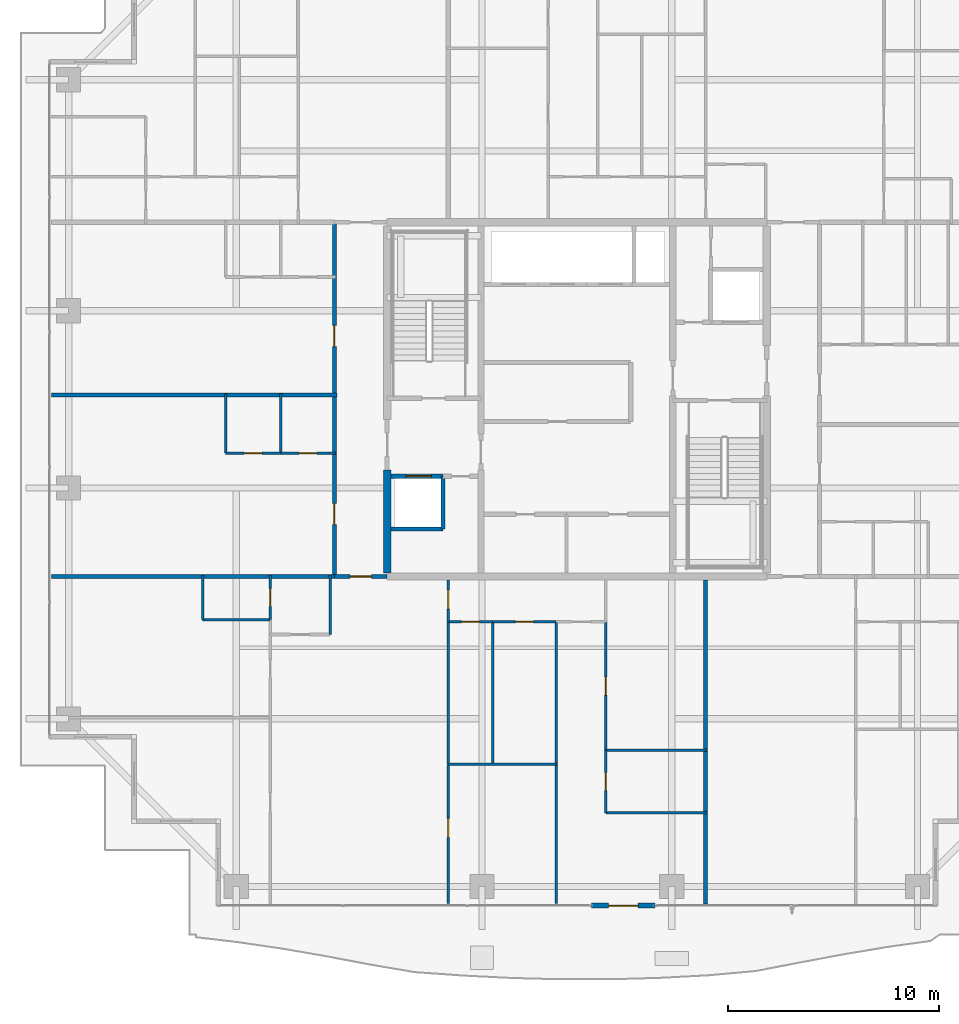
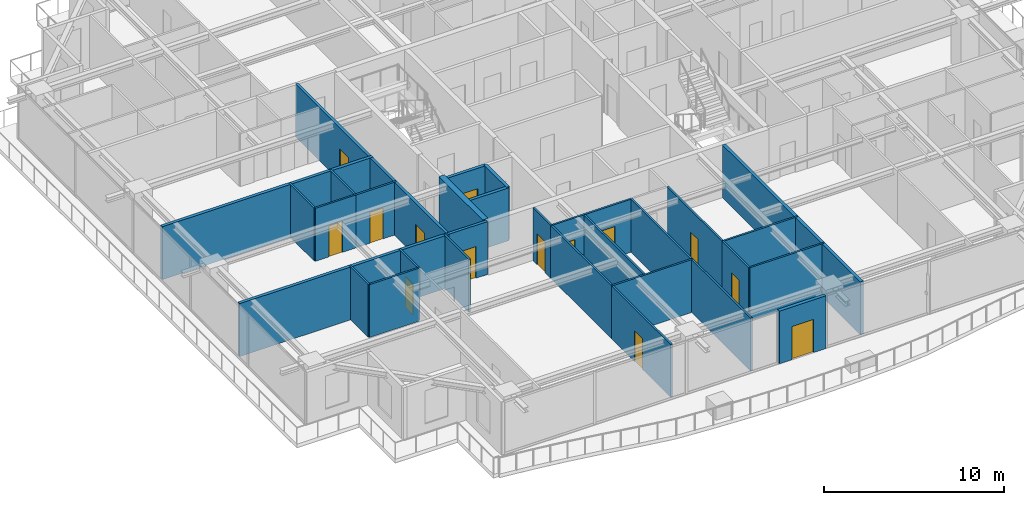
# One storey, part 26 of 38: 30 walls, 14 doors, 14 openings.
"""IFC4 building model written with IfcOpenShell, lengths in metres."""

import ifcopenshell
import ifcopenshell.guid

model = None  # the IFC model being written
_history = None  # IfcOwnerHistory: only IFC2X3 demands one
_inside = {}  # id of a spatial element -> (the spatial element, [elements in it])
_under = {}  # id of a project, library or spatial element -> (it, [spatial elements below it])
_declared = {}  # id of a project -> (the project, [libraries it declares])
_typed = {}  # id of a type object -> (the type object, [elements of that type])
_made_of = {}  # id of a material, layer set ... -> (it, [elements and type objects made of it])


def new_model(schema):
    """Start an empty IFC model of exactly this schema.

    Asked for "IFC4X3", IfcOpenShell would pick the latest addendum, in which some entities
    have other attributes; the version numbers below select the first issue.
    IFC2X3 requires an IfcOwnerHistory on every rooted entity: one is made here for all.
    """
    global model, _history
    if schema == "IFC4X3":
        model = ifcopenshell.file(schema_version=(4, 3, 0, 0))
    else:
        model = ifcopenshell.file(schema=schema)
    _inside.clear()
    _under.clear()
    _declared.clear()
    _typed.clear()
    _made_of.clear()
    _history = None
    if model.schema == "IFC2X3":
        org = make("IfcOrganization", Name="unknown")
        user = make(
            "IfcPersonAndOrganization",
            ThePerson=make("IfcPerson", FamilyName="unknown"),
            TheOrganization=org,
        )
        app = make(
            "IfcApplication",
            ApplicationDeveloper=org,
            Version="unknown",
            ApplicationFullName="unknown",
            ApplicationIdentifier="unknown",
        )
        _history = make(
            "IfcOwnerHistory",
            OwningUser=user,
            OwningApplication=app,
            ChangeAction="ADDED",
            CreationDate=0,
        )
    return model


def make(cls, **values):
    """One entity of the class cls with the attributes given. An attribute that is None is left unset."""
    return model.create_entity(
        cls, **{name: value for name, value in values.items() if value is not None}
    )


def rooted(cls, **values):
    """An entity with a GlobalId (a new one), such as an element, a storey or a relation."""
    return make(cls, GlobalId=ifcopenshell.guid.new(), OwnerHistory=_history, **values)


def si_unit(unit_type, name, prefix=None):
    """IfcSIUnit, for example si_unit("LENGTHUNIT", "METRE", prefix="MILLI")."""
    return make("IfcSIUnit", UnitType=unit_type, Prefix=prefix, Name=name)


def assignment(units):
    """IfcUnitAssignment: the units of a project."""
    return None if units is None else make("IfcUnitAssignment", Units=units)


def point(xyz):
    """IfcCartesianPoint."""
    return None if xyz is None else make("IfcCartesianPoint", Coordinates=xyz)


def direction(xyz):
    """IfcDirection."""
    return None if xyz is None else make("IfcDirection", DirectionRatios=xyz)


def frame(location, z_axis=None, x_axis=None):
    """IfcAxis2Placement3D, a coordinate frame: its origin and axes. An axis left out is left unset."""
    return make(
        "IfcAxis2Placement3D",
        Location=point(location),
        Axis=direction(z_axis),
        RefDirection=direction(x_axis),
    )


def frame_2d(location, x_axis=None):
    """IfcAxis2Placement2D, a coordinate frame in the plane: its origin and x axis."""
    return make(
        "IfcAxis2Placement2D", Location=point(location), RefDirection=direction(x_axis)
    )


def origin():
    """The frame at (0, 0, 0) with its axes left unset."""
    return frame((0.0, 0.0, 0.0))


def place(relative_to, where):
    """IfcLocalPlacement: puts the frame where relative to a parent placement (None: the world)."""
    return make(
        "IfcLocalPlacement", PlacementRelTo=relative_to, RelativePlacement=where
    )


def context(
    kind, dimensions, precision=None, world=None, true_north=None, identifier=None
):
    """IfcGeometricRepresentationContext, for example the 3D "Model" context."""
    return make(
        "IfcGeometricRepresentationContext",
        ContextIdentifier=identifier,
        ContextType=kind,
        CoordinateSpaceDimension=dimensions,
        Precision=precision,
        WorldCoordinateSystem=world,
        TrueNorth=true_north,
    )


def subcontext(parent, identifier, kind, view, scale=None):
    """IfcGeometricRepresentationSubContext, for example "Body" below "Model"."""
    return make(
        "IfcGeometricRepresentationSubContext",
        ContextIdentifier=identifier,
        ContextType=kind,
        ParentContext=parent,
        TargetScale=scale,
        TargetView=view,
    )


def project(units=None, contexts=None):
    """IfcProject with its units and contexts."""
    return rooted(
        "IfcProject",
        Name="project",
        RepresentationContexts=contexts,
        UnitsInContext=assignment(units),
    )


def spatial(cls, under=None, at=None, **own):
    """A site, building, storey or space (cls), placed at a placement, below another one or the project."""
    s = rooted(cls, ObjectPlacement=at, **own)
    if under is not None:
        _under.setdefault(under.id(), (under, []))[1].append(s)
    return s


def profile(cls, at=None, kind="AREA", **sizes):
    """A parametric profile (cls). Its sizes go by their IFC names, for example OverallWidth=200.0."""
    return make(cls, ProfileType=kind, Position=at, **sizes)


def rectangle(**sizes):
    """IfcRectangleProfileDef."""
    return profile("IfcRectangleProfileDef", **sizes)


def extrude(swept, where, along, depth):
    """IfcExtrudedAreaSolid: the profile swept, set in the frame where, extruded along a direction by depth."""
    return make(
        "IfcExtrudedAreaSolid",
        SweptArea=swept,
        Position=where,
        ExtrudedDirection=direction(along),
        Depth=depth,
    )


def shape(context_of_items, identifier, shape_type, items):
    """IfcShapeRepresentation: the items that make up one representation, for example the "Body"."""
    return make(
        "IfcShapeRepresentation",
        ContextOfItems=context_of_items,
        RepresentationIdentifier=identifier,
        RepresentationType=shape_type,
        Items=items,
    )


def source(mapping_origin, context_of_items, identifier, shape_type, items):
    """IfcRepresentationMap: a shape defined once, which mapped items show again and again."""
    return make(
        "IfcRepresentationMap",
        MappingOrigin=mapping_origin,
        MappedRepresentation=shape(context_of_items, identifier, shape_type, items),
    )


def transform(
    local_origin,
    x_axis=None,
    y_axis=None,
    z_axis=None,
    scale=None,
    scale2=None,
    scale3=None,
    uniform=True,
):
    """IfcCartesianTransformationOperator3D, or its non-uniform kind. x_axis, y_axis, z_axis: its Axis1, 2, 3."""
    if uniform:
        return make(
            "IfcCartesianTransformationOperator3D",
            Axis1=direction(x_axis),
            Axis2=direction(y_axis),
            LocalOrigin=point(local_origin),
            Scale=scale,
            Axis3=direction(z_axis),
        )
    return make(
        "IfcCartesianTransformationOperator3DnonUniform",
        Axis1=direction(x_axis),
        Axis2=direction(y_axis),
        LocalOrigin=point(local_origin),
        Scale=scale,
        Axis3=direction(z_axis),
        Scale2=scale2,
        Scale3=scale3,
    )


def mapped(mapping_source, mapping_target):
    """IfcMappedItem: shows the shape of a source again, moved by a transform."""
    return make(
        "IfcMappedItem", MappingSource=mapping_source, MappingTarget=mapping_target
    )


def material(Name=None, Category=None):
    """IfcMaterial."""
    return make("IfcMaterial", Name=Name, Category=Category)


def layer(
    of_material, thickness, ventilated=None, Name=None, Category=None, Priority=None
):
    """IfcMaterialLayer: one layer of a wall or slab, of a material (None: an air gap)."""
    return make(
        "IfcMaterialLayer",
        Material=of_material,
        LayerThickness=thickness,
        IsVentilated=ventilated,
        Name=Name,
        Category=Category,
        Priority=Priority,
    )


def layer_set(layers, Name=None):
    """IfcMaterialLayerSet."""
    return make("IfcMaterialLayerSet", MaterialLayers=layers, LayerSetName=Name)


def made_of(thing, what):
    """Note that an element or type object is made of a material, layer set ...; save() writes the relation."""
    if what is not None:
        _made_of.setdefault(what.id(), (what, []))[1].append(thing)
    return thing


def type_object(cls, material=None, **own):
    """A type object (cls), such as IfcWallType, which elements share."""
    return made_of(rooted(cls, **own), material)


def element(
    cls,
    number,
    at=None,
    inside=None,
    cuts=None,
    type_object=None,
    material=None,
    context=None,
    identifier="Body",
    shape_type=None,
    held_by="IfcProductDefinitionShape",
    body=None,
    shapes=None,
    **own,
):
    """One element of the class cls, such as IfcWall. Its Tag is "e" and its number.

    at: its placement. inside: the storey or other place that contains it. cuts: it is an
    opening in that element (IfcRelVoidsElement). A single representation is given by context,
    identifier, shape_type and body (its items); several are given by shapes. held_by: the class
    of the entity that holds the representations. save() writes the other relations.
    """
    e = rooted(cls, Tag="e%d" % number, ObjectPlacement=at, **own)
    if body is not None:
        shapes = [shape(context, identifier, shape_type, body)]
    if shapes is not None:
        e.Representation = make(held_by, Representations=shapes)
    if inside is not None:
        _inside.setdefault(inside.id(), (inside, []))[1].append(e)
    if cuts is not None:
        rooted(
            "IfcRelVoidsElement", RelatingBuildingElement=cuts, RelatedOpeningElement=e
        )
    if type_object is not None:
        _typed.setdefault(type_object.id(), (type_object, []))[1].append(e)
    return made_of(e, material)


def fill(opening, filler):
    """IfcRelFillsElement: the door or window that sits in an opening."""
    return rooted(
        "IfcRelFillsElement",
        RelatingOpeningElement=opening,
        RelatedBuildingElement=filler,
    )


def aggregate(whole, parts):
    """IfcRelAggregates: a whole, such as a stair, and the parts it consists of."""
    return rooted("IfcRelAggregates", RelatingObject=whole, RelatedObjects=parts)


def save(model, path):
    """Write the relations noted so far, then the file.

    IfcRelAggregates (storeys below a building ...), IfcRelContainedInSpatialStructure (elements
    in a storey), IfcRelDefinesByType, IfcRelAssociatesMaterial and IfcRelDeclares: one each for
    every whole, place, type object, material and project.
    """
    for whole, parts in _under.values():
        aggregate(whole, parts)
    for where, things in _inside.values():
        rooted(
            "IfcRelContainedInSpatialStructure",
            RelatedElements=things,
            RelatingStructure=where,
        )
    for kind, things in _typed.values():
        rooted("IfcRelDefinesByType", RelatedObjects=things, RelatingType=kind)
    for what, things in _made_of.values():
        rooted("IfcRelAssociatesMaterial", RelatedObjects=things, RelatingMaterial=what)
    for by, libraries in _declared.values():
        rooted("IfcRelDeclares", RelatingContext=by, RelatedDefinitions=libraries)
    model.write(path)


model = new_model("IFC4")

# Units and contexts
model_context = context("Model", 3, precision=1e-05, world=origin(), true_north=direction((0.0, 1.0)))
body_context = subcontext(model_context, "Body", "Model", "MODEL_VIEW")
ifc_project = project(units=[si_unit("LENGTHUNIT", "METRE"), si_unit("AREAUNIT", "SQUARE_METRE"), si_unit("VOLUMEUNIT", "CUBIC_METRE"), si_unit("PLANEANGLEUNIT", "RADIAN"), si_unit("MASSUNIT", "GRAM", prefix="KILO")], contexts=[model_context])

# Site, building, storey
site_placement = place(None, origin())
site = spatial("IfcSite", under=ifc_project, at=site_placement, CompositionType="ELEMENT")
building_placement = place(site_placement, origin())
building = spatial("IfcBuilding", under=site, at=building_placement, Name="Serunith Strait Residences", CompositionType="ELEMENT")
storey_placement = place(building_placement, frame((0.0, 0.0, 229.699951171875)))
storey = spatial("IfcBuildingStorey", under=building, at=storey_placement, Name="L57", CompositionType="ELEMENT", Elevation=229.699951171875)

# Wall, opening, door
ifc_material_1 = material(Name="Pale-Champagne Aluminium Insulated Panel", Category="aluminium")
ifc_layer_1 = layer(ifc_material_1, 0.219970703125, Name="Pale-Champagne Aluminium Insulated Panel")
ifc_layer_set_1 = layer_set([ifc_layer_1], Name="Pale-Champagne Aluminium Insulated Panel")
wall_type_1 = type_object("IfcWallType", Name="EW-ALUM-220", PredefinedType="ELEMENTEDWALL", material=ifc_layer_set_1)
wall_1_placement = place(storey_placement, frame((33.10009765625, 1.199951171875, 0.0), z_axis=(0.0, 0.0, 1.0), x_axis=(1.0, 0.0, 0.0)))
wall_1 = element("IfcWall", 1, at=wall_1_placement, inside=storey, type_object=wall_type_1, Name="L57 S Facade Pier Wall", PredefinedType="ELEMENTEDWALL", context=body_context, shape_type="SweptSolid", body=[
    extrude(rectangle(XDim=3.0, YDim=0.219970703125, at=frame_2d((1.5, 0.0))), origin(), (0.0, 0.0, 1.0), 3.574951171875),
])
opening_1_placement = place(wall_1_placement, frame((0.800048828125, 0.0, 0.0)))
opening_1 = element("IfcOpeningElement", 2, at=opening_1_placement, cuts=wall_1, Name="Opening ED-04", PredefinedType="OPENING", context=body_context, shape_type="SweptSolid", body=[
    extrude(rectangle(XDim=1.39990234375, YDim=2.25, at=frame_2d((0.699951171875, 1.125))), frame((0.0, 0.1201171875, 0.0), z_axis=(0.0, -1.0, 0.0), x_axis=(1.0, 0.0, 0.0)), (0.0, 0.0, 1.0), 0.239990234375),
])
ifc_material_2 = material(Name="Thermally-Broken Aluminium Sliding Balcony Door", Category="aluminium")
door_type_1 = type_object("IfcDoorType", Name="ED-BALC-1400", OperationType="NOTDEFINED", PredefinedType="DOOR", material=ifc_material_2)
shared_shape_1 = source(origin(), body_context, "Body", "SweptSolid", [
    extrude(rectangle(XDim=1.39990234375, YDim=2.25, at=frame_2d((0.699951171875, 1.125))), frame((0.0, 0.02490234375, 0.0), z_axis=(0.0, -1.0, 0.0), x_axis=(1.0, 0.0, 0.0)), (0.0, 0.0, 1.0), 0.050048828125),
])
door_1_placement = place(opening_1_placement, origin())
door_1 = element("IfcDoor", 3, at=door_1_placement, inside=storey, type_object=door_type_1, Name="L57 S Vertical-Forest Balcony Door", OperationType="SLIDING_TO_LEFT", OverallHeight=2.25, OverallWidth=1.39990234375, PredefinedType="DOOR", context=body_context, shape_type="MappedRepresentation", body=[
    mapped(shared_shape_1, transform((0.0, 0.0, 0.0), scale=1.0)),
])
fill(opening_1, door_1)

ifc_material_3 = material(Name="Fire-rated acoustic gypsum partition")
ifc_layer_2 = layer(ifc_material_3, 0.179931640625, Name="Fire-rated acoustic gypsum partition")
ifc_layer_set_2 = layer_set([ifc_layer_2], Name="Fire-rated acoustic gypsum partition")
wall_type_2 = type_object("IfcWallType", Name="IW-CORR-180", PredefinedType="PARTITIONING", material=ifc_layer_set_2)
wall_2_placement = place(storey_placement, frame((20.902099609375, 16.800048828125, 0.0), z_axis=(0.0, 0.0, 1.0), x_axis=(1.0, 0.0, 0.0)))
wall_2 = element("IfcWall", 4, at=wall_2_placement, inside=storey, type_object=wall_type_2, Name="L57 Partition Wall 026", PredefinedType="PARTITIONING", context=body_context, shape_type="SweptSolid", body=[
    extrude(rectangle(XDim=2.495849609375, YDim=0.179931640625, at=frame_2d((1.248046875, 0.0))), origin(), (0.0, 0.0, 1.0), 3.590087890625),
])
opening_2_placement = place(wall_2_placement, frame((0.748046875, 0.0, 0.0)))
opening_2 = element("IfcOpeningElement", 5, at=opening_2_placement, cuts=wall_2, Name="Opening D-APT1000", PredefinedType="OPENING", context=body_context, shape_type="SweptSolid", body=[
    extrude(rectangle(XDim=1.0, YDim=2.14990234375, at=frame_2d((0.5, 1.074951171875))), frame((0.0, 0.10009765625, 0.0), z_axis=(0.0, -1.0, 0.0), x_axis=(1.0, 0.0, 0.0)), (0.0, 0.0, 1.0), 0.199951171875),
])
ifc_material_4 = material(Name="Solid timber engineered fire door", Category="wood")
door_type_2 = type_object("IfcDoorType", Name="ID-APT-1000", OperationType="NOTDEFINED", PredefinedType="DOOR", material=ifc_material_4)
shared_shape_2 = source(origin(), body_context, "Body", "SweptSolid", [
    extrude(rectangle(XDim=1.0, YDim=2.14990234375, at=frame_2d((0.5, 1.074951171875))), frame((0.0, 0.02490234375, 0.0), z_axis=(0.0, -1.0, 0.0), x_axis=(1.0, 0.0, 0.0)), (0.0, 0.0, 1.0), 0.050048828125),
])
door_2_placement = place(opening_2_placement, origin())
door_2 = element("IfcDoor", 6, at=door_2_placement, inside=storey, type_object=door_type_2, Name="L57 Unit 01 Entrance Door", OperationType="SINGLE_SWING_LEFT", OverallHeight=2.14990234375, OverallWidth=1.0, PredefinedType="DOOR", context=body_context, shape_type="MappedRepresentation", body=[
    mapped(shared_shape_2, transform((0.0, 0.0, 0.0), scale=1.0)),
])
fill(opening_2, door_2)

# Wall, openings, doors
wall_3_placement = place(storey_placement, frame((20.89990234375, 16.800048828125, 0.0), z_axis=(0.0, 0.0, 1.0), x_axis=(0.0, 1.0, 0.0)))
wall_3 = element("IfcWall", 7, at=wall_3_placement, inside=storey, type_object=wall_type_2, Name="L57 Partition Wall 028", PredefinedType="PARTITIONING", context=body_context, shape_type="SweptSolid", body=[
    extrude(rectangle(XDim=16.800048828125, YDim=0.179931640625, at=frame_2d((8.39990234375, 0.0))), origin(), (0.0, 0.0, 1.0), 3.590087890625),
])
opening_3_placement = place(wall_3_placement, frame((2.465087890625, 0.0, 0.0)))
opening_3 = element("IfcOpeningElement", 8, at=opening_3_placement, cuts=wall_3, Name="Opening D-APT1000", PredefinedType="OPENING", context=body_context, shape_type="SweptSolid", body=[
    extrude(rectangle(XDim=1.0, YDim=2.14990234375, at=frame_2d((0.5, 1.074951171875))), frame((0.0, 0.10009765625, 0.0), z_axis=(0.0, -1.0, 0.0), x_axis=(1.0, 0.0, 0.0)), (0.0, 0.0, 1.0), 0.199951171875),
])
opening_4_placement = place(wall_3_placement, frame((10.902099609375, 0.0, 0.0)))
opening_4 = element("IfcOpeningElement", 9, at=opening_4_placement, cuts=wall_3, Name="Opening D-APT1000", PredefinedType="OPENING", context=body_context, shape_type="SweptSolid", body=[
    extrude(rectangle(XDim=1.0, YDim=2.14990234375, at=frame_2d((0.5, 1.074951171875))), frame((0.0, 0.10009765625, 0.0), z_axis=(0.0, -1.0, 0.0), x_axis=(1.0, 0.0, 0.0)), (0.0, 0.0, 1.0), 0.199951171875),
])
door_3_placement = place(opening_3_placement, origin())
door_3 = element("IfcDoor", 10, at=door_3_placement, inside=storey, type_object=door_type_2, Name="L57 Unit 05 Entrance Door", OperationType="SINGLE_SWING_LEFT", OverallHeight=2.14990234375, OverallWidth=1.0, PredefinedType="DOOR", context=body_context, shape_type="MappedRepresentation", body=[
    mapped(shared_shape_2, transform((0.0, 0.0, 0.0), scale=1.0)),
])
fill(opening_3, door_3)
door_4_placement = place(opening_4_placement, origin())
door_4 = element("IfcDoor", 11, at=door_4_placement, inside=storey, type_object=door_type_2, Name="L57 Unit 06 Entrance Door", OperationType="SINGLE_SWING_RIGHT", OverallHeight=2.14990234375, OverallWidth=1.0, PredefinedType="DOOR", context=body_context, shape_type="MappedRepresentation", body=[
    mapped(shared_shape_2, transform((0.0, 0.0, 0.0), scale=1.0)),
])
fill(opening_4, door_4)

# Walls
ifc_material_5 = material(Name="Lightweight steel-stud gypsum partition", Category="steel")
ifc_layer_3 = layer(ifc_material_5, 0.1201171875, Name="Lightweight steel-stud gypsum partition")
ifc_layer_set_3 = layer_set([ifc_layer_3], Name="Lightweight steel-stud gypsum partition")
wall_type_3 = type_object("IfcWallType", Name="IW-PART-120", PredefinedType="PARTITIONING", material=ifc_layer_set_3)
wall_4_placement = place(storey_placement, frame((20.699951171875, 14.050048828125, 0.0), z_axis=(0.0, 0.0, 1.0), x_axis=(0.0, 1.0, 0.0)))
element("IfcWall", 12, at=wall_4_placement, inside=storey, type_object=wall_type_3, Name="L57 Partition Wall 033", PredefinedType="PARTITIONING", context=body_context, shape_type="SweptSolid", body=[
    extrude(rectangle(XDim=2.81005859375, YDim=0.1201171875, at=frame_2d((1.405029296875, 0.0))), origin(), (0.0, 0.0, 1.0), 3.590087890625),
])
wall_5_placement = place(storey_placement, frame((14.64990234375, 14.75, 0.0), z_axis=(0.0, 0.0, 1.0), x_axis=(1.0, 0.0, 0.0)))
element("IfcWall", 13, at=wall_5_placement, inside=storey, type_object=wall_type_3, Name="L57 Partition Wall 036", PredefinedType="PARTITIONING", context=body_context, shape_type="SweptSolid", body=[
    extrude(rectangle(XDim=3.2001953125, YDim=0.1201171875, at=frame_2d((1.60009765625, 0.0))), origin(), (0.0, 0.0, 1.0), 3.590087890625),
])
wall_6_placement = place(storey_placement, frame((14.64990234375, 14.75, 0.0), z_axis=(0.0, 0.0, 1.0), x_axis=(0.0, 1.0, 0.0)))
element("IfcWall", 14, at=wall_6_placement, inside=storey, type_object=wall_type_3, Name="L57 Partition Wall 037", PredefinedType="PARTITIONING", context=body_context, shape_type="SweptSolid", body=[
    extrude(rectangle(XDim=2.110107421875, YDim=0.1201171875, at=frame_2d((1.05517578125, 0.0))), origin(), (0.0, 0.0, 1.0), 3.590087890625),
])

# Wall, opening, door
wall_7_placement = place(storey_placement, frame((17.85009765625, 14.751953125, 0.0), z_axis=(0.0, 0.0, 1.0), x_axis=(0.0, 1.0, 0.0)))
wall_7 = element("IfcWall", 15, at=wall_7_placement, inside=storey, type_object=wall_type_3, Name="L57 Partition Wall 039", PredefinedType="PARTITIONING", context=body_context, shape_type="SweptSolid", body=[
    extrude(rectangle(XDim=2.108154296875, YDim=0.1201171875, at=frame_2d((1.05419921875, 0.0))), origin(), (0.0, 0.0, 1.0), 3.590087890625),
])
opening_5_placement = place(wall_7_placement, frame((0.62890625, 0.0, 0.0)))
opening_5 = element("IfcOpeningElement", 16, at=opening_5_placement, cuts=wall_7, Name="Opening D-BTH850", PredefinedType="OPENING", context=body_context, shape_type="SweptSolid", body=[
    extrude(rectangle(XDim=0.85009765625, YDim=2.10009765625, at=frame_2d((0.425048828125, 1.050048828125))), frame((0.0, 0.070068359375, 0.0), z_axis=(0.0, -1.0, 0.0), x_axis=(1.0, 0.0, 0.0)), (0.0, 0.0, 1.0), 0.14013671875),
])
ifc_material_6 = material(Name="Moisture-resistant timber bathroom door", Category="wood")
door_type_3 = type_object("IfcDoorType", Name="ID-BATH-850", OperationType="NOTDEFINED", PredefinedType="DOOR", material=ifc_material_6)
shared_shape_3 = source(origin(), body_context, "Body", "SweptSolid", [
    extrude(rectangle(XDim=0.85009765625, YDim=2.10009765625, at=frame_2d((0.425048828125, 1.050048828125))), frame((0.0, 0.02490234375, 0.0), z_axis=(0.0, -1.0, 0.0), x_axis=(1.0, 0.0, 0.0)), (0.0, 0.0, 1.0), 0.050048828125),
])
door_5_placement = place(opening_5_placement, origin())
door_5 = element("IfcDoor", 17, at=door_5_placement, inside=storey, type_object=door_type_3, Name="L57 Bathroom 5701 Door", OperationType="SINGLE_SWING_RIGHT", OverallHeight=2.10009765625, OverallWidth=0.85009765625, PredefinedType="DOOR", context=body_context, shape_type="MappedRepresentation", body=[
    mapped(shared_shape_3, transform((0.0, 0.0, 0.0), scale=1.0)),
])
fill(opening_5, door_5)

wall_8_placement = place(storey_placement, frame((26.300048828125, 14.64990234375, 0.0), z_axis=(0.0, 0.0, 1.0), x_axis=(0.0, 1.0, 0.0)))
wall_8 = element("IfcWall", 18, at=wall_8_placement, inside=storey, type_object=wall_type_3, Name="L57 Partition Wall 040", PredefinedType="PARTITIONING", context=body_context, shape_type="SweptSolid", body=[
    extrude(rectangle(XDim=1.97509765625, YDim=0.1201171875, at=frame_2d((0.987548828125, 0.0))), origin(), (0.0, 0.0, 1.0), 3.590087890625),
])
opening_6_placement = place(wall_8_placement, frame((0.60107421875, 0.0, 0.0)))
opening_6 = element("IfcOpeningElement", 19, at=opening_6_placement, cuts=wall_8, Name="Opening D-RM900", PredefinedType="OPENING", context=body_context, shape_type="SweptSolid", body=[
    extrude(rectangle(XDim=0.89990234375, YDim=2.10009765625, at=frame_2d((0.449951171875, 1.050048828125))), frame((0.0, 0.070068359375, 0.0), z_axis=(0.0, -1.0, 0.0), x_axis=(1.0, 0.0, 0.0)), (0.0, 0.0, 1.0), 0.14013671875),
])
ifc_material_7 = material(Name="Engineered timber flush bedroom door", Category="wood")
door_type_4 = type_object("IfcDoorType", Name="ID-ROOM-900", OperationType="NOTDEFINED", PredefinedType="DOOR", material=ifc_material_7)
shared_shape_4 = source(origin(), body_context, "Body", "SweptSolid", [
    extrude(rectangle(XDim=0.89990234375, YDim=2.10009765625, at=frame_2d((0.449951171875, 1.050048828125))), frame((0.0, 0.02490234375, 0.0), z_axis=(0.0, -1.0, 0.0), x_axis=(1.0, 0.0, 0.0)), (0.0, 0.0, 1.0), 0.050048828125),
])
door_6_placement = place(opening_6_placement, origin())
door_6 = element("IfcDoor", 20, at=door_6_placement, inside=storey, type_object=door_type_4, Name="L57 Hall E 5701 Door", OperationType="SINGLE_SWING_LEFT", OverallHeight=2.10009765625, OverallWidth=0.89990234375, PredefinedType="DOOR", context=body_context, shape_type="MappedRepresentation", body=[
    mapped(shared_shape_4, transform((0.0, 0.0, 0.0), scale=1.0)),
])
fill(opening_6, door_6)

wall_9_placement = place(storey_placement, frame((26.300048828125, 1.294921875, 0.0), z_axis=(0.0, 0.0, 1.0), x_axis=(0.0, 1.0, 0.0)))
wall_9 = element("IfcWall", 21, at=wall_9_placement, inside=storey, type_object=wall_type_3, Name="L57 Partition Wall 041", PredefinedType="PARTITIONING", context=body_context, shape_type="SweptSolid", body=[
    extrude(rectangle(XDim=6.60400390625, YDim=0.1201171875, at=frame_2d((3.302001953125, 0.0))), origin(), (0.0, 0.0, 1.0), 3.590087890625),
])
opening_7_placement = place(wall_9_placement, frame((3.136962890625, 0.0, 0.0)))
opening_7 = element("IfcOpeningElement", 22, at=opening_7_placement, cuts=wall_9, Name="Opening D-RM900", PredefinedType="OPENING", context=body_context, shape_type="SweptSolid", body=[
    extrude(rectangle(XDim=0.89990234375, YDim=2.10009765625, at=frame_2d((0.449951171875, 1.050048828125))), frame((0.0, 0.070068359375, 0.0), z_axis=(0.0, -1.0, 0.0), x_axis=(1.0, 0.0, 0.0)), (0.0, 0.0, 1.0), 0.14013671875),
])
door_7_placement = place(opening_7_placement, origin())
door_7 = element("IfcDoor", 23, at=door_7_placement, inside=storey, type_object=door_type_4, Name="L57 Formal Dining Room 2 5701 Door", OperationType="SINGLE_SWING_RIGHT", OverallHeight=2.10009765625, OverallWidth=0.89990234375, PredefinedType="DOOR", context=body_context, shape_type="MappedRepresentation", body=[
    mapped(shared_shape_4, transform((0.0, 0.0, 0.0), scale=1.0)),
])
fill(opening_7, door_7)

# Walls
wall_10_placement = place(storey_placement, frame((26.300048828125, 7.90087890625, 0.0), z_axis=(0.0, 0.0, 1.0), x_axis=(0.0, 1.0, 0.0)))
element("IfcWall", 24, at=wall_10_placement, inside=storey, type_object=wall_type_3, Name="L57 Partition Wall 042", PredefinedType="PARTITIONING", context=body_context, shape_type="SweptSolid", body=[
    extrude(rectangle(XDim=6.7470703125, YDim=0.1201171875, at=frame_2d((3.37353515625, 0.0))), origin(), (0.0, 0.0, 1.0), 3.590087890625),
])
wall_11_placement = place(storey_placement, frame((26.300048828125, 7.89892578125, 0.0), z_axis=(0.0, 0.0, 1.0), x_axis=(1.0, 0.0, 0.0)))
element("IfcWall", 25, at=wall_11_placement, inside=storey, type_object=wall_type_3, Name="L57 Partition Wall 043", PredefinedType="PARTITIONING", context=body_context, shape_type="SweptSolid", body=[
    extrude(rectangle(XDim=5.119873046875, YDim=0.1201171875, at=frame_2d((2.56005859375, 0.0))), origin(), (0.0, 0.0, 1.0), 3.590087890625),
])
wall_12_placement = place(storey_placement, frame((31.419921875, 1.294921875, 0.0), z_axis=(0.0, 0.0, 1.0), x_axis=(0.0, 1.0, 0.0)))
element("IfcWall", 26, at=wall_12_placement, inside=storey, type_object=wall_type_3, Name="L57 Partition Wall 044", PredefinedType="PARTITIONING", context=body_context, shape_type="SweptSolid", body=[
    extrude(rectangle(XDim=13.35498046875, YDim=0.1201171875, at=frame_2d((6.677490234375, 0.0))), origin(), (0.0, 0.0, 1.0), 3.590087890625),
])
wall_13_placement = place(storey_placement, frame((28.39990234375, 7.89892578125, 0.0), z_axis=(0.0, 0.0, 1.0), x_axis=(0.0, 1.0, 0.0)))
element("IfcWall", 27, at=wall_13_placement, inside=storey, type_object=wall_type_3, Name="L57 Partition Wall 045", PredefinedType="PARTITIONING", context=body_context, shape_type="SweptSolid", body=[
    extrude(rectangle(XDim=6.7509765625, YDim=0.1201171875, at=frame_2d((3.37548828125, 0.0))), origin(), (0.0, 0.0, 1.0), 3.590087890625),
])

# Wall, opening, door
wall_14_placement = place(storey_placement, frame((26.300048828125, 14.64990234375, 0.0), z_axis=(0.0, 0.0, 1.0), x_axis=(1.0, 0.0, 0.0)))
wall_14 = element("IfcWall", 28, at=wall_14_placement, inside=storey, type_object=wall_type_3, Name="L57 Partition Wall 046", PredefinedType="PARTITIONING", context=body_context, shape_type="SweptSolid", body=[
    extrude(rectangle(XDim=2.099853515625, YDim=0.1201171875, at=frame_2d((1.0498046875, 0.0))), origin(), (0.0, 0.0, 1.0), 3.590087890625),
])
opening_8_placement = place(wall_14_placement, frame((0.625, 0.0, 0.0)))
opening_8 = element("IfcOpeningElement", 29, at=opening_8_placement, cuts=wall_14, Name="Opening D-RM850", PredefinedType="OPENING", context=body_context, shape_type="SweptSolid", body=[
    extrude(rectangle(XDim=0.85009765625, YDim=2.10009765625, at=frame_2d((0.425048828125, 1.050048828125))), frame((0.0, 0.070068359375, 0.0), z_axis=(0.0, -1.0, 0.0), x_axis=(1.0, 0.0, 0.0)), (0.0, 0.0, 1.0), 0.14013671875),
])
ifc_material_8 = material(Name="Engineered timber flush study and kitchen door", Category="wood")
door_type_5 = type_object("IfcDoorType", Name="ID-ROOM-850", OperationType="NOTDEFINED", PredefinedType="DOOR", material=ifc_material_8)
door_8_placement = place(opening_8_placement, origin())
door_8 = element("IfcDoor", 30, at=door_8_placement, inside=storey, type_object=door_type_5, Name="L57 Study 5701 Door", OperationType="SINGLE_SWING_LEFT", OverallHeight=2.10009765625, OverallWidth=0.85009765625, PredefinedType="DOOR", context=body_context, shape_type="MappedRepresentation", body=[
    mapped(shared_shape_3, transform((0.0, 0.0, 0.0), scale=1.0)),
])
fill(opening_8, door_8)

wall_15_placement = place(storey_placement, frame((28.402099609375, 14.64990234375, 0.0), z_axis=(0.0, 0.0, 1.0), x_axis=(1.0, 0.0, 0.0)))
wall_15 = element("IfcWall", 31, at=wall_15_placement, inside=storey, type_object=wall_type_3, Name="L57 Partition Wall 047", PredefinedType="PARTITIONING", context=body_context, shape_type="SweptSolid", body=[
    extrude(rectangle(XDim=3.017822265625, YDim=0.1201171875, at=frame_2d((1.5087890625, 0.0))), origin(), (0.0, 0.0, 1.0), 3.590087890625),
])
opening_9_placement = place(wall_15_placement, frame((1.083984375, 0.0, 0.0)))
opening_9 = element("IfcOpeningElement", 32, at=opening_9_placement, cuts=wall_15, Name="Opening D-RM850", PredefinedType="OPENING", context=body_context, shape_type="SweptSolid", body=[
    extrude(rectangle(XDim=0.85009765625, YDim=2.10009765625, at=frame_2d((0.425048828125, 1.050048828125))), frame((0.0, 0.070068359375, 0.0), z_axis=(0.0, -1.0, 0.0), x_axis=(1.0, 0.0, 0.0)), (0.0, 0.0, 1.0), 0.14013671875),
])
door_9_placement = place(opening_9_placement, origin())
door_9 = element("IfcDoor", 33, at=door_9_placement, inside=storey, type_object=door_type_5, Name="L57 Formal Dining Room 5701 Door", OperationType="SINGLE_SWING_RIGHT", OverallHeight=2.10009765625, OverallWidth=0.85009765625, PredefinedType="DOOR", context=body_context, shape_type="MappedRepresentation", body=[
    mapped(shared_shape_3, transform((0.0, 0.0, 0.0), scale=1.0)),
])
fill(opening_9, door_9)

# Walls
for number, where, z_axis, x_axis, name in (
    (34, (33.77001953125, 5.594970703125, 0.0), (0.0, 0.0, 1.0), (1.0, 0.0, 0.0), "L57 Partition Wall 049"),
    (35, (33.77001953125, 8.554931640625, 0.0), (0.0, 0.0, 1.0), (1.0, 0.0, 0.0), "L57 Partition Wall 050"),
):
    element("IfcWall", number, at=place(storey_placement, frame(where, z_axis=z_axis, x_axis=x_axis)), inside=storey, type_object=wall_type_3, Name=name, PredefinedType="PARTITIONING", context=body_context, shape_type="SweptSolid", body=[
        extrude(rectangle(XDim=4.7900390625, YDim=0.1201171875, at=frame_2d((2.39501953125, 0.0))), origin(), (0.0, 0.0, 1.0), 3.590087890625),
    ])

# Wall, opening, door
wall_16_placement = place(storey_placement, frame((33.77001953125, 5.594970703125, 0.0), z_axis=(0.0, 0.0, 1.0), x_axis=(0.0, 1.0, 0.0)))
wall_16 = element("IfcWall", 36, at=wall_16_placement, inside=storey, type_object=wall_type_3, Name="L57 Partition Wall 051", PredefinedType="PARTITIONING", context=body_context, shape_type="SweptSolid", body=[
    extrude(rectangle(XDim=2.9599609375, YDim=0.1201171875, at=frame_2d((1.47998046875, 0.0))), origin(), (0.0, 0.0, 1.0), 3.590087890625),
])
opening_10_placement = place(wall_16_placement, frame((1.054931640625, 0.0, 0.0)))
opening_10 = element("IfcOpeningElement", 37, at=opening_10_placement, cuts=wall_16, Name="Opening D-BTH850", PredefinedType="OPENING", context=body_context, shape_type="SweptSolid", body=[
    extrude(rectangle(XDim=0.85009765625, YDim=2.10009765625, at=frame_2d((0.425048828125, 1.050048828125))), frame((0.0, 0.070068359375, 0.0), z_axis=(0.0, -1.0, 0.0), x_axis=(1.0, 0.0, 0.0)), (0.0, 0.0, 1.0), 0.14013671875),
])
door_10_placement = place(opening_10_placement, origin())
door_10 = element("IfcDoor", 38, at=door_10_placement, inside=storey, type_object=door_type_3, Name="L57 En-suite Bathroom E 5701 Door", OperationType="SINGLE_SWING_RIGHT", OverallHeight=2.10009765625, OverallWidth=0.85009765625, PredefinedType="DOOR", context=body_context, shape_type="MappedRepresentation", body=[
    mapped(shared_shape_3, transform((0.0, 0.0, 0.0), scale=1.0)),
])
fill(opening_10, door_10)

wall_17_placement = place(storey_placement, frame((33.77001953125, 8.556884765625, 0.0), z_axis=(0.0, 0.0, 1.0), x_axis=(0.0, 1.0, 0.0)))
wall_17 = element("IfcWall", 39, at=wall_17_placement, inside=storey, type_object=wall_type_3, Name="L57 Partition Wall 052", PredefinedType="PARTITIONING", context=body_context, shape_type="SweptSolid", body=[
    extrude(rectangle(XDim=6.093017578125, YDim=0.1201171875, at=frame_2d((3.04638671875, 0.0))), origin(), (0.0, 0.0, 1.0), 3.590087890625),
])
opening_11_placement = place(wall_17_placement, frame((2.6220703125, 0.0, 0.0)))
opening_11 = element("IfcOpeningElement", 40, at=opening_11_placement, cuts=wall_17, Name="Opening D-RM850", PredefinedType="OPENING", context=body_context, shape_type="SweptSolid", body=[
    extrude(rectangle(XDim=0.85009765625, YDim=2.10009765625, at=frame_2d((0.425048828125, 1.050048828125))), frame((0.0, 0.070068359375, 0.0), z_axis=(0.0, -1.0, 0.0), x_axis=(1.0, 0.0, 0.0)), (0.0, 0.0, 1.0), 0.14013671875),
])
door_11_placement = place(opening_11_placement, origin())
door_11 = element("IfcDoor", 41, at=door_11_placement, inside=storey, type_object=door_type_5, Name="L57 Wardrobe E 5701 Door", OperationType="SINGLE_SWING_LEFT", OverallHeight=2.10009765625, OverallWidth=0.85009765625, PredefinedType="DOOR", context=body_context, shape_type="MappedRepresentation", body=[
    mapped(shared_shape_3, transform((0.0, 0.0, 0.0), scale=1.0)),
])
fill(opening_11, door_11)

wall_18_placement = place(storey_placement, frame((15.75, 22.64990234375, 0.0), z_axis=(0.0, 0.0, 1.0), x_axis=(1.0, 0.0, 0.0)))
wall_18 = element("IfcWall", 42, at=wall_18_placement, inside=storey, type_object=wall_type_3, Name="L57 Partition Wall 102", PredefinedType="PARTITIONING", context=body_context, shape_type="SweptSolid", body=[
    extrude(rectangle(XDim=2.60009765625, YDim=0.1201171875, at=frame_2d((1.300048828125, 0.0))), origin(), (0.0, 0.0, 1.0), 3.590087890625),
])
opening_12_placement = place(wall_18_placement, frame((0.875, 0.0, 0.0)))
opening_12 = element("IfcOpeningElement", 43, at=opening_12_placement, cuts=wall_18, Name="Opening D-RM850", PredefinedType="OPENING", context=body_context, shape_type="SweptSolid", body=[
    extrude(rectangle(XDim=0.85009765625, YDim=2.10009765625, at=frame_2d((0.425048828125, 1.050048828125))), frame((0.0, 0.070068359375, 0.0), z_axis=(0.0, -1.0, 0.0), x_axis=(1.0, 0.0, 0.0)), (0.0, 0.0, 1.0), 0.14013671875),
])
door_12_placement = place(opening_12_placement, origin())
door_12 = element("IfcDoor", 44, at=door_12_placement, inside=storey, type_object=door_type_5, Name="L57 Kitchen 5705 Door", OperationType="SINGLE_SWING_LEFT", OverallHeight=2.10009765625, OverallWidth=0.85009765625, PredefinedType="DOOR", context=body_context, shape_type="MappedRepresentation", body=[
    mapped(shared_shape_3, transform((0.0, 0.0, 0.0), scale=1.0)),
])
fill(opening_12, door_12)

wall_19_placement = place(storey_placement, frame((18.35205078125, 22.64990234375, 0.0), z_axis=(0.0, 0.0, 1.0), x_axis=(1.0, 0.0, 0.0)))
wall_19 = element("IfcWall", 45, at=wall_19_placement, inside=storey, type_object=wall_type_3, Name="L57 Partition Wall 103", PredefinedType="PARTITIONING", context=body_context, shape_type="SweptSolid", body=[
    extrude(rectangle(XDim=2.60791015625, YDim=0.1201171875, at=frame_2d((1.303955078125, 0.0))), origin(), (0.0, 0.0, 1.0), 3.590087890625),
])
opening_13_placement = place(wall_19_placement, frame((0.87890625, 0.0, 0.0)))
opening_13 = element("IfcOpeningElement", 46, at=opening_13_placement, cuts=wall_19, Name="Opening D-BTH850", PredefinedType="OPENING", context=body_context, shape_type="SweptSolid", body=[
    extrude(rectangle(XDim=0.85009765625, YDim=2.10009765625, at=frame_2d((0.425048828125, 1.050048828125))), frame((0.0, 0.070068359375, 0.0), z_axis=(0.0, -1.0, 0.0), x_axis=(1.0, 0.0, 0.0)), (0.0, 0.0, 1.0), 0.14013671875),
])
door_13_placement = place(opening_13_placement, origin())
door_13 = element("IfcDoor", 47, at=door_13_placement, inside=storey, type_object=door_type_3, Name="L57 Bathroom 5705 Door", OperationType="SINGLE_SWING_RIGHT", OverallHeight=2.10009765625, OverallWidth=0.85009765625, PredefinedType="DOOR", context=body_context, shape_type="MappedRepresentation", body=[
    mapped(shared_shape_3, transform((0.0, 0.0, 0.0), scale=1.0)),
])
fill(opening_13, door_13)

# Walls
for number, where, z_axis, x_axis, name in (
    (48, (18.35009765625, 22.64990234375, 0.0), (0.0, 0.0, 1.0), (0.0, 1.0, 0.0), "L57 Partition Wall 104"),
    (49, (15.75, 22.64990234375, 0.0), (0.0, 0.0, 1.0), (0.0, 1.0, 0.0), "L57 Partition Wall 105"),
):
    element("IfcWall", number, at=place(storey_placement, frame(where, z_axis=z_axis, x_axis=x_axis)), inside=storey, type_object=wall_type_3, Name=name, PredefinedType="PARTITIONING", context=body_context, shape_type="SweptSolid", body=[
        extrude(rectangle(XDim=2.81005859375, YDim=0.1201171875, at=frame_2d((1.405029296875, 0.0))), origin(), (0.0, 0.0, 1.0), 3.590087890625),
    ])
ifc_material_9 = material(Name="Twin-stud acoustic gypsum board partition")
ifc_layer_4 = layer(ifc_material_9, 0.199951171875, Name="Twin-stud acoustic gypsum board partition")
ifc_layer_set_4 = layer_set([ifc_layer_4], Name="Twin-stud acoustic gypsum board partition")
wall_type_4 = type_object("IfcWallType", Name="IW-PARTY-200", PredefinedType="PARTITIONING", material=ifc_layer_set_4)
wall_20_placement = place(storey_placement, frame((38.5, 1.281982421875, 0.0), z_axis=(0.0, 0.0, 1.0), x_axis=(0.0, 1.0, 0.0)))
element("IfcWall", 50, at=wall_20_placement, inside=storey, type_object=wall_type_4, Name="L57 Partition Wall 018", PredefinedType="PARTITIONING", context=body_context, shape_type="SweptSolid", body=[
    extrude(rectangle(XDim=15.343017578125, YDim=0.199951171875, at=frame_2d((7.67138671875, 0.0))), origin(), (0.0, 0.0, 1.0), 3.590087890625),
])
wall_21_placement = place(storey_placement, frame((7.48193359375, 25.39990234375, 0.0), z_axis=(0.0, 0.0, 1.0), x_axis=(1.0, 0.0, 0.0)))
element("IfcWall", 51, at=wall_21_placement, inside=storey, type_object=wall_type_4, Name="L57 Partition Wall 020", PredefinedType="PARTITIONING", context=body_context, shape_type="SweptSolid", body=[
    extrude(rectangle(XDim=13.5380859375, YDim=0.199951171875, at=frame_2d((6.76904296875, 0.0))), origin(), (0.0, 0.0, 1.0), 3.590087890625),
])
wall_22_placement = place(storey_placement, frame((7.48193359375, 16.800048828125, 0.0), z_axis=(0.0, 0.0, 1.0), x_axis=(1.0, 0.0, 0.0)))
element("IfcWall", 52, at=wall_22_placement, inside=storey, type_object=wall_type_4, Name="L57 Partition Wall 022", PredefinedType="PARTITIONING", context=body_context, shape_type="SweptSolid", body=[
    extrude(rectangle(XDim=13.41796875, YDim=0.199951171875, at=frame_2d((6.708984375, 0.0))), origin(), (0.0, 0.0, 1.0), 3.590087890625),
])

# Wall, opening, door
ifc_material_10 = material(Name="Autoclaved aerated concrete blockwork", Category="masonry")
ifc_layer_5 = layer(ifc_material_10, 0.199951171875, Name="Autoclaved aerated concrete blockwork")
ifc_layer_set_5 = layer_set([ifc_layer_5], Name="Autoclaved aerated concrete blockwork")
wall_type_5 = type_object("IfcWallType", Name="IW-SHAFT-200", PredefinedType="STANDARD", material=ifc_layer_set_5)
wall_23_placement = place(storey_placement, frame((23.574951171875, 21.550048828125, 0.0), z_axis=(0.0, 0.0, 1.0), x_axis=(1.0, 0.0, 0.0)))
wall_23 = element("IfcWall", 53, at=wall_23_placement, inside=storey, type_object=wall_type_5, Name="L57 FL-1 North Shaft Wall", PredefinedType="STANDARD", context=body_context, shape_type="SweptSolid", body=[
    extrude(rectangle(XDim=2.47509765625, YDim=0.199951171875, at=frame_2d((1.237548828125, 0.0))), origin(), (0.0, 0.0, 1.0), 3.590087890625),
])
opening_14_placement = place(wall_23_placement, frame((0.72509765625, 0.0, 0.0)))
opening_14 = element("IfcOpeningElement", 54, at=opening_14_placement, cuts=wall_23, Name="Opening LD-FF1200", PredefinedType="OPENING", context=body_context, shape_type="SweptSolid", body=[
    extrude(rectangle(XDim=1.199951171875, YDim=2.199951171875, at=frame_2d((0.60009765625, 1.10009765625))), frame((0.0, 0.10986328125, 0.0), z_axis=(0.0, -1.0, 0.0), x_axis=(1.0, 0.0, 0.0)), (0.0, 0.0, 1.0), 0.219970703125),
])
ifc_material_11 = material(Name="Brushed stainless steel landing door", Category="steel")
door_type_6 = type_object("IfcDoorType", Name="LD-FF-1200", OperationType="DOUBLE_DOOR_SLIDING", PredefinedType="DOOR", material=ifc_material_11)
shared_shape_5 = source(origin(), body_context, "Body", "SweptSolid", [
    extrude(rectangle(XDim=1.199951171875, YDim=2.199951171875, at=frame_2d((0.60009765625, 1.10009765625))), frame((0.0, 0.02490234375, 0.0), z_axis=(0.0, -1.0, 0.0), x_axis=(1.0, 0.0, 0.0)), (0.0, 0.0, 1.0), 0.050048828125),
])
door_14_placement = place(opening_14_placement, origin())
door_14 = element("IfcDoor", 55, at=door_14_placement, inside=storey, type_object=door_type_6, Name="L57 FL-1 Landing Door", OperationType="DOUBLE_DOOR_SLIDING", OverallHeight=2.199951171875, OverallWidth=1.199951171875, PredefinedType="DOOR", context=body_context, shape_type="MappedRepresentation", body=[
    mapped(shared_shape_5, transform((0.0, 0.0, 0.0), scale=1.0)),
])
fill(opening_14, door_14)

# Walls
wall_24_placement = place(storey_placement, frame((26.050048828125, 19.050048828125, 0.0), z_axis=(0.0, 0.0, 1.0), x_axis=(0.0, 1.0, 0.0)))
element("IfcWall", 56, at=wall_24_placement, inside=storey, type_object=wall_type_5, Name="L57 Partition Wall 001", PredefinedType="STANDARD", context=body_context, shape_type="SweptSolid", body=[
    extrude(rectangle(XDim=2.5, YDim=0.199951171875, at=frame_2d((1.25, 0.0))), origin(), (0.0, 0.0, 1.0), 3.590087890625),
])
wall_25_placement = place(storey_placement, frame((23.574951171875, 19.050048828125, 0.0), z_axis=(0.0, 0.0, 1.0), x_axis=(1.0, 0.0, 0.0)))
element("IfcWall", 57, at=wall_25_placement, inside=storey, type_object=wall_type_5, Name="L57 Partition Wall 002", PredefinedType="STANDARD", context=body_context, shape_type="SweptSolid", body=[
    extrude(rectangle(XDim=2.47509765625, YDim=0.199951171875, at=frame_2d((1.237548828125, 0.0))), origin(), (0.0, 0.0, 1.0), 3.590087890625),
])
ifc_material_12 = material(Name="Concrete C60/75", Category="concrete")
ifc_layer_6 = layer(ifc_material_12, 0.35009765625, Name="Concrete C60/75")
ifc_layer_set_6 = layer_set([ifc_layer_6], Name="Concrete C60/75")
wall_type_6 = type_object("IfcWallType", Name="SW-350-C60", PredefinedType="SHEAR", material=ifc_layer_set_6)
wall_26_placement = place(storey_placement, frame((23.39990234375, 16.97509765625, -0.260009765625), z_axis=(0.0, 0.0, 1.0), x_axis=(0.0, 1.0, 0.0)))
element("IfcWall", 58, at=wall_26_placement, inside=storey, type_object=wall_type_6, Name="L57 Core West Shear Wall South Pier", PredefinedType="SHEAR", context=body_context, shape_type="SweptSolid", body=[
    extrude(rectangle(XDim=4.875, YDim=0.35009765625, at=frame_2d((2.4375, 0.0))), origin(), (0.0, 0.0, 1.0), 3.84814453125),
])

save(model, "model.ifc")
